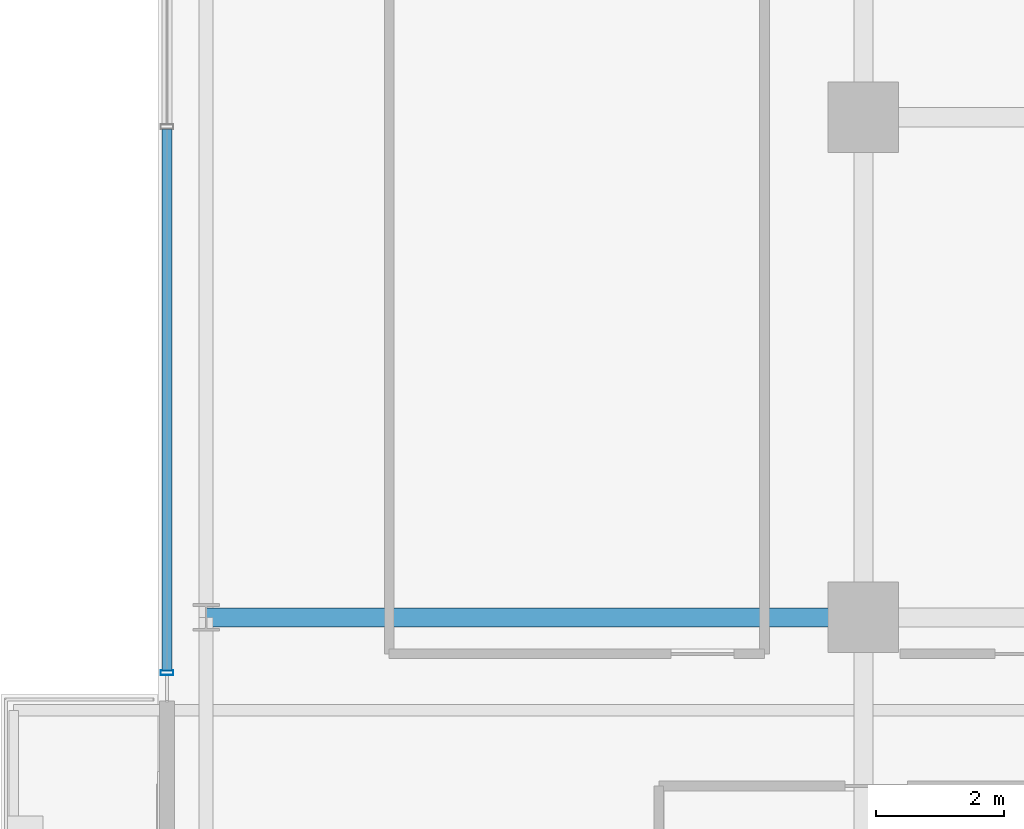
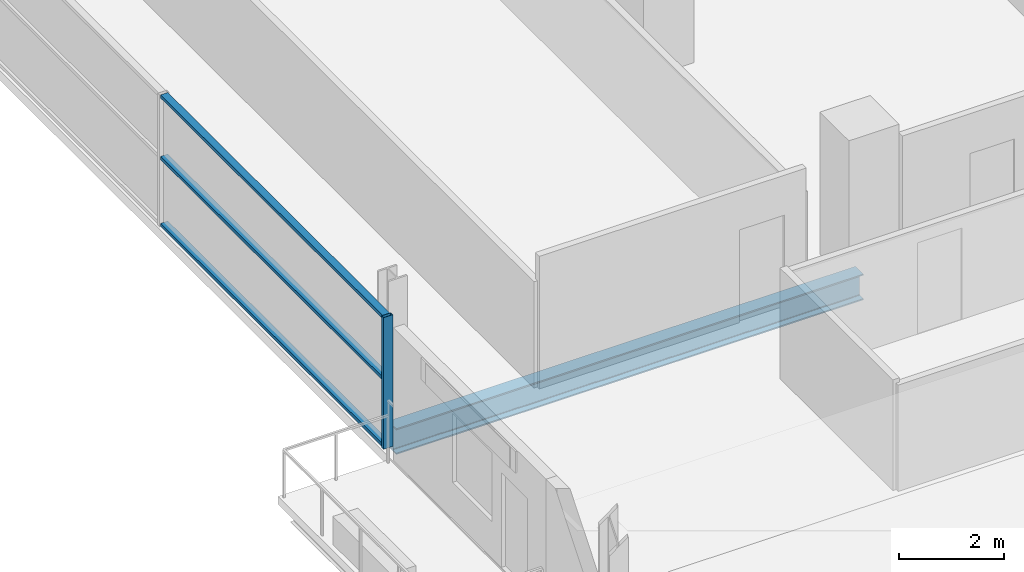
# One storey, part 5 of 31: 4 members, 1 beam, 1 element without a shape of its own.
"""IFC4 building model written with IfcOpenShell, lengths in metres."""

from ifc_helpers import new_model, si_unit, direction, frame, origin, origin_2d, place, context, subcontext, project, spatial, hollow_rectangle, i_section, extrude, source, transform, mapped, material, layer, layer_set, material_profile, profile_set, type_object, element, aggregate, save


model = new_model("IFC4")

# Units and contexts
model_context = context("Model", 3, precision=1e-05, world=origin(), true_north=direction((0.0, 1.0)))
body_context = subcontext(model_context, "Body", "Model", "MODEL_VIEW")
ifc_project = project(units=[si_unit("LENGTHUNIT", "METRE"), si_unit("AREAUNIT", "SQUARE_METRE"), si_unit("VOLUMEUNIT", "CUBIC_METRE"), si_unit("PLANEANGLEUNIT", "RADIAN"), si_unit("MASSUNIT", "GRAM", prefix="KILO")], contexts=[model_context])

# Site, building, storey
site_placement = place(None, origin())
site = spatial("IfcSite", under=ifc_project, at=site_placement, CompositionType="ELEMENT")
building_placement = place(site_placement, origin())
building = spatial("IfcBuilding", under=site, at=building_placement, Name="Zarnakvel Exchange Tower", CompositionType="ELEMENT")
storey_placement = place(building_placement, frame((0.0, 0.0, 47.199951171875)))
storey = spatial("IfcBuildingStorey", under=building, at=storey_placement, Name="L12", CompositionType="ELEMENT", Elevation=47.199951171875)

# Beam
ifc_material_1 = material(Name="Steel S355", Category="steel")
ifc_material_profile_1 = material_profile(ifc_material_1, i_section(OverallWidth=0.300048828125, OverallDepth=0.60009765625, WebThickness=0.015380859375, FlangeThickness=0.030029296875, FilletRadius=0.027099609375, at=origin_2d()))
ifc_profile_set_1 = profile_set([ifc_material_profile_1], Name="Steel S355")
beam_type = type_object("IfcBeamType", Name="G-04", PredefinedType="BEAM", material=ifc_profile_set_1)
beam_placement = place(storey_placement, frame((-31.85009765625, -1.199951171875, -0.52490234375), z_axis=(1.0, 0.0, 0.0), x_axis=(0.0, 1.0, 0.0)))
element("IfcBeam", 1, at=beam_placement, inside=storey, type_object=beam_type, Name="L12 Tower E-W Frame Beam", PredefinedType="BEAM", context=body_context, shape_type="SweptSolid", body=[
    extrude(i_section(OverallWidth=0.300048828125, OverallDepth=0.60009765625, WebThickness=0.015380859375, FlangeThickness=0.030029296875, FilletRadius=0.027099609375, at=origin_2d()), origin(), (0.0, 0.0, 1.0), 10.25),
])

# Curtain wall, members
ifc_material_2 = material(Name="Architectural Bronze Anodised Aluminium", Category="aluminium")
ifc_layer = layer(ifc_material_2, 0.199951171875)
ifc_layer_set = layer_set([ifc_layer], Name="Architectural Bronze Anodised Aluminium")
curtain_wall_type = type_object("IfcCurtainWallType", Name="CW-04", PredefinedType="NOTDEFINED", material=ifc_layer_set)
curtain_wall_placement = place(storey_placement, origin())
curtain_wall = element("IfcCurtainWall", 2, at=curtain_wall_placement, inside=storey, type_object=curtain_wall_type, Name="L12 Curtain Wall CW-L12-WN (CW-04)", PredefinedType="NOTDEFINED")
ifc_material_profile_2 = material_profile(ifc_material_2, hollow_rectangle(XDim=0.159912109375, YDim=0.074951171875, WallThickness=0.00390625, at=origin_2d()))
ifc_profile_set_2 = profile_set([ifc_material_profile_2], Name="Architectural Bronze Anodised Aluminium")
member_type_1 = type_object("IfcMemberType", Name="CWT-04", PredefinedType="USERDEFINED", material=ifc_profile_set_2)
shared_shape_1 = source(origin(), body_context, "Body", "SweptSolid", [
    extrude(hollow_rectangle(XDim=0.159912109375, YDim=0.074951171875, WallThickness=0.00390625, at=origin_2d()), origin(), (0.0, 0.0, 1.0), 8.4375),
])
member_1_placement = place(storey_placement, frame((-32.4599609375, -2.02490234375, 0.03759765625), z_axis=(0.0, 1.0, 0.0), x_axis=(-1.0, 0.0, 0.0)))
member_1 = element("IfcMember", 3, at=member_1_placement, type_object=member_type_1, Name="CW-04 transom 1.1", ObjectType="TRANSOM", PredefinedType="USERDEFINED", context=body_context, shape_type="MappedRepresentation", body=[
    mapped(shared_shape_1, transform((0.0, 0.0, 0.0), x_axis=(1.0, 0.0, 0.0), y_axis=(0.0, 1.0, 0.0), z_axis=(0.0, 0.0, 1.0), scale=1.0)),
])
member_2_placement = place(storey_placement, frame((-32.4599609375, -2.02490234375, 1.588623046875), z_axis=(0.0, 1.0, 0.0), x_axis=(-1.0, 0.0, 0.0)))
member_2 = element("IfcMember", 4, at=member_2_placement, type_object=member_type_1, Name="CW-04 transom 1.2", ObjectType="TRANSOM", PredefinedType="USERDEFINED", context=body_context, shape_type="MappedRepresentation", body=[
    mapped(shared_shape_1, transform((0.0, 0.0, 0.0), x_axis=(1.0, 0.0, 0.0), y_axis=(0.0, 1.0, 0.0), z_axis=(0.0, 0.0, 1.0), scale=1.0)),
])
member_3_placement = place(storey_placement, frame((-32.4599609375, -2.02490234375, 3.017578125), z_axis=(0.0, 1.0, 0.0), x_axis=(-1.0, 0.0, 0.0)))
member_3 = element("IfcMember", 5, at=member_3_placement, type_object=member_type_1, Name="CW-04 transom 1.3", ObjectType="TRANSOM", PredefinedType="USERDEFINED", context=body_context, shape_type="MappedRepresentation", body=[
    mapped(shared_shape_1, transform((0.0, 0.0, 0.0), x_axis=(1.0, 0.0, 0.0), y_axis=(0.0, 1.0, 0.0), z_axis=(0.0, 0.0, 1.0), scale=1.0)),
])
ifc_material_profile_3 = material_profile(ifc_material_2, hollow_rectangle(XDim=0.199951171875, YDim=0.074951171875, WallThickness=0.0048828125, at=origin_2d()))
ifc_profile_set_3 = profile_set([ifc_material_profile_3], Name="Architectural Bronze Anodised Aluminium")
member_type_2 = type_object("IfcMemberType", Name="CWM-04", PredefinedType="MULLION", material=ifc_profile_set_3)
shared_shape_2 = source(origin(), body_context, "Body", "SweptSolid", [
    extrude(hollow_rectangle(XDim=0.199951171875, YDim=0.074951171875, WallThickness=0.0048828125, at=origin_2d()), origin(), (0.0, 0.0, 1.0), 3.054931640625),
])
member_4_placement = place(storey_placement, frame((-32.4599609375, -2.0625, 0.0), z_axis=(0.0, 0.0, 1.0), x_axis=(-1.0, 0.0, 0.0)))
member_4 = element("IfcMember", 6, at=member_4_placement, type_object=member_type_2, Name="CW-04 mullion 1", PredefinedType="MULLION", context=body_context, shape_type="MappedRepresentation", body=[
    mapped(shared_shape_2, transform((0.0, 0.0, 0.0), x_axis=(1.0, 0.0, 0.0), y_axis=(0.0, 1.0, 0.0), z_axis=(0.0, 0.0, 1.0), scale=1.0)),
])
aggregate(curtain_wall, [member_4, member_1, member_2, member_3])

save(model, "model.ifc")
